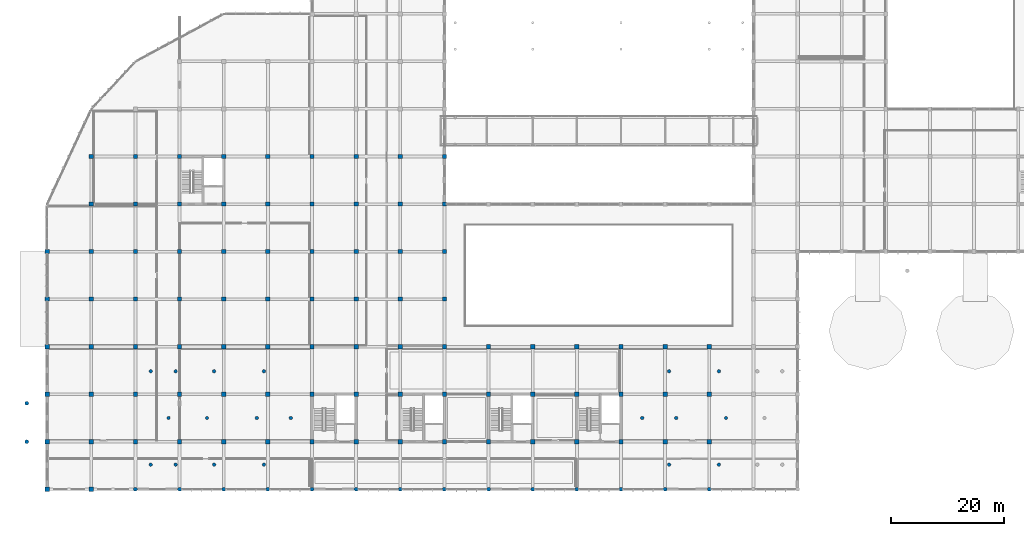
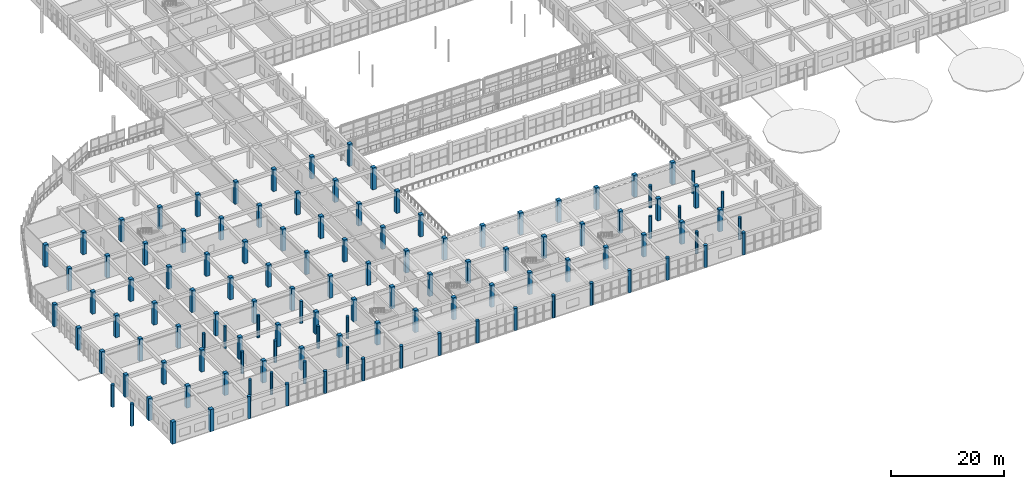
# One storey, part 1 of 175: 123 columns.
"""IFC4 building model written with IfcOpenShell, lengths in metres."""

from ifc_helpers import new_model, si_unit, direction, frame, origin, origin_2d, place, context, subcontext, project, spatial, rectangle, circle, extrude, material, material_profile, profile_set, type_object, element, save


model = new_model("IFC4")

# Units and contexts
model_context = context("Model", 3, precision=1e-05, world=origin(), true_north=direction((0.0, 1.0)))
body_context = subcontext(model_context, "Body", "Model", "MODEL_VIEW")
ifc_project = project(units=[si_unit("LENGTHUNIT", "METRE"), si_unit("AREAUNIT", "SQUARE_METRE"), si_unit("VOLUMEUNIT", "CUBIC_METRE"), si_unit("PLANEANGLEUNIT", "RADIAN"), si_unit("MASSUNIT", "GRAM", prefix="KILO")], contexts=[model_context])

# Site, building, storey
site_placement = place(None, origin())
site = spatial("IfcSite", under=ifc_project, at=site_placement, CompositionType="ELEMENT")
building_placement = place(site_placement, origin())
building = spatial("IfcBuilding", under=site, at=building_placement, Name="Zizhar Promenade General Hospital", CompositionType="ELEMENT")
storey_placement = place(building_placement, frame((0.0, 0.0, 4.800048828125)))
storey = spatial("IfcBuildingStorey", under=building, at=storey_placement, Name="L01", CompositionType="ELEMENT", Elevation=4.800048828125)

# Columns
ifc_material_1 = material(Name="Concrete C40/50", Category="concrete")
ifc_material_profile_1 = material_profile(ifc_material_1, circle(Radius=0.300048828125, at=origin_2d()))
ifc_profile_set_1 = profile_set([ifc_material_profile_1], Name="Concrete C40/50")
column_type_1 = type_object("IfcColumnType", Name="COL-CIRC-600", PredefinedType="PILASTER", material=ifc_profile_set_1)
for number, where, z_axis, x_axis, name in (
    (1, (18.300048828125, 4.35009765625, 0.0), (0.0, 0.0, 1.0), (1.0, 0.0, 0.0), "Ward Terrace Interior Support Column L06-W0 (L01)"),
    (2, (18.300048828125, 20.85009765625, 0.0), (0.0, 0.0, 1.0), (1.0, 0.0, 0.0), "Ward Terrace Interior Support Column L06-W1 (L01)"),
    (3, (21.449951171875, 12.60009765625, 0.0), (0.0, 0.0, 1.0), (1.0, 0.0, 0.0), "Ward Terrace Interior Support Column L06-W2 (L01)"),
    (4, (22.699951171875, 4.35009765625, 0.0), (0.0, 0.0, 1.0), (1.0, 0.0, 0.0), "Ward Terrace Interior Support Column L07-W0 (L01)"),
    (5, (22.699951171875, 20.85009765625, 0.0), (0.0, 0.0, 1.0), (1.0, 0.0, 0.0), "Ward Terrace Interior Support Column L07-W1 (L01)"),
    (6, (28.25, 12.60009765625, 0.0), (0.0, 0.0, 1.0), (1.0, 0.0, 0.0), "Ward Terrace Interior Support Column L07-W2 (L01)"),
    (7, (119.949951171875, 12.60009765625, 0.0), (0.0, 0.0, 1.0), (1.0, 0.0, 0.0), "Ward Terrace Interior Support Column L07-E2 (L01)"),
    (8, (29.5, 4.35009765625, 0.0), (0.0, 0.0, 1.0), (1.0, 0.0, 0.0), "Ward Terrace Interior Support Column L08-W0 (L01)"),
    (9, (29.5, 20.85009765625, 0.0), (0.0, 0.0, 1.0), (1.0, 0.0, 0.0), "Ward Terrace Interior Support Column L08-W1 (L01)"),
    (10, (37.050048828125, 12.60009765625, 0.0), (0.0, 0.0, 1.0), (1.0, 0.0, 0.0), "Ward Terrace Interior Support Column L08-W2 (L01)"),
    (11, (118.699951171875, 4.35009765625, 0.0), (0.0, 0.0, 1.0), (1.0, 0.0, 0.0), "Ward Terrace Interior Support Column L08-E0 (L01)"),
    (12, (118.699951171875, 20.85009765625, 0.0), (0.0, 0.0, 1.0), (1.0, 0.0, 0.0), "Ward Terrace Interior Support Column L08-E1 (L01)"),
    (13, (111.14990234375, 12.60009765625, 0.0), (0.0, 0.0, 1.0), (1.0, 0.0, 0.0), "Ward Terrace Interior Support Column L08-E2 (L01)"),
    (14, (38.300048828125, 4.35009765625, 0.0), (0.0, 0.0, 1.0), (1.0, 0.0, 0.0), "Ward Terrace Interior Support Column L09-W0 (L01)"),
    (15, (38.300048828125, 20.85009765625, 0.0), (0.0, 0.0, 1.0), (1.0, 0.0, 0.0), "Ward Terrace Interior Support Column L09-W1 (L01)"),
    (16, (43.050048828125, 12.60009765625, 0.0), (0.0, 0.0, 1.0), (1.0, 0.0, 0.0), "Ward Terrace Interior Support Column L09-W2 (L01)"),
    (17, (109.89990234375, 4.35009765625, 0.0), (0.0, 0.0, 1.0), (1.0, 0.0, 0.0), "Ward Terrace Interior Support Column L09-E0 (L01)"),
    (18, (109.89990234375, 20.85009765625, 0.0), (0.0, 0.0, 1.0), (1.0, 0.0, 0.0), "Ward Terrace Interior Support Column L09-E1 (L01)"),
    (19, (105.14990234375, 12.60009765625, 0.0), (0.0, 0.0, 1.0), (1.0, 0.0, 0.0), "Ward Terrace Interior Support Column L09-E2 (L01)"),
):
    element("IfcColumn", number, at=place(storey_placement, frame(where, z_axis=z_axis, x_axis=x_axis)), inside=storey, type_object=column_type_1, Name=name, PredefinedType="PILASTER", context=body_context, shape_type="SweptSolid", body=[
        extrude(circle(Radius=0.300048828125, at=origin_2d()), origin(), (0.0, 0.0, 1.0), 4.800048828125),
    ])
ifc_material_2 = material(Name="Concrete C40/50", Category="concrete")
ifc_material_profile_2 = material_profile(ifc_material_2, circle(Radius=0.35009765625, at=origin_2d()))
ifc_profile_set_2 = profile_set([ifc_material_profile_2], Name="Concrete C40/50")
column_type_2 = type_object("IfcColumnType", Name="COL-CIRC-700", PredefinedType="PILASTER", material=ifc_profile_set_2)
for number, where, z_axis, x_axis, name in (
    (20, (15.60009765625, 0.0, 0.0), (0.0, 0.0, 1.0), (1.0, 0.0, 0.0), "Column 3-A (L01)"),
    (21, (23.39990234375, 0.0, 0.0), (0.0, 0.0, 1.0), (1.0, 0.0, 0.0), "Column 4-A (L01)"),
    (22, (31.199951171875, 0.0, 0.0), (0.0, 0.0, 1.0), (1.0, 0.0, 0.0), "Column 5-A (L01)"),
    (23, (39.0, 0.0, 0.0), (0.0, 0.0, 1.0), (1.0, 0.0, 0.0), "Column 6-A (L01)"),
    (24, (46.800048828125, 0.0, 0.0), (0.0, 0.0, 1.0), (1.0, 0.0, 0.0), "Column 7-A (L01)"),
    (25, (54.60009765625, 0.0, 0.0), (0.0, 0.0, 1.0), (1.0, 0.0, 0.0), "Column 8-A (L01)"),
    (26, (62.39990234375, 0.0, 0.0), (0.0, 0.0, 1.0), (1.0, 0.0, 0.0), "Column 9-A (L01)"),
    (27, (70.199951171875, 0.0, 0.0), (0.0, 0.0, 1.0), (1.0, 0.0, 0.0), "Column 10-A (L01)"),
    (28, (78.0, 0.0, 0.0), (0.0, 0.0, 1.0), (1.0, 0.0, 0.0), "Column 11-A (L01)"),
    (29, (85.800048828125, 0.0, 0.0), (0.0, 0.0, 1.0), (1.0, 0.0, 0.0), "Column 12-A (L01)"),
    (30, (93.60009765625, 0.0, 0.0), (0.0, 0.0, 1.0), (1.0, 0.0, 0.0), "Column 13-A (L01)"),
    (31, (101.39990234375, 0.0, 0.0), (0.0, 0.0, 1.0), (1.0, 0.0, 0.0), "Column 14-A (L01)"),
    (32, (109.199951171875, 0.0, 0.0), (0.0, 0.0, 1.0), (1.0, 0.0, 0.0), "Column 15-A (L01)"),
    (33, (117.0, 0.0, 0.0), (0.0, 0.0, 1.0), (1.0, 0.0, 0.0), "Column 16-A (L01)"),
    (34, (-3.60009765625, 8.39990234375, 0.0), (0.0, 0.0, 1.0), (1.0, 0.0, 0.0), "Base Roof Colonnade Column 01 (L01)"),
    (35, (-3.60009765625, 15.199951171875, 0.0), (0.0, 0.0, 1.0), (1.0, 0.0, 0.0), "Base Roof Colonnade Column 02 (L01)"),
):
    element("IfcColumn", number, at=place(storey_placement, frame(where, z_axis=z_axis, x_axis=x_axis)), inside=storey, type_object=column_type_2, Name=name, PredefinedType="PILASTER", context=body_context, shape_type="SweptSolid", body=[
        extrude(circle(Radius=0.35009765625, at=origin_2d()), origin(), (0.0, 0.0, 1.0), 4.800048828125),
    ])
ifc_material_3 = material(Name="Concrete C40/50", Category="concrete")
ifc_material_profile_3 = material_profile(ifc_material_3, rectangle(XDim=0.75, YDim=0.75, at=origin_2d()))
ifc_profile_set_3 = profile_set([ifc_material_profile_3], Name="Concrete C40/50")
column_type_3 = type_object("IfcColumnType", Name="COL-RC-750", PredefinedType="COLUMN", material=ifc_profile_set_3)
for number, where, z_axis, x_axis, name in (
    (36, (0.0, 0.0, 0.0), (0.0, 0.0, 1.0), (1.0, 0.0, 0.0), "Column 1-A (L01)"),
    (37, (0.0, 8.39990234375, 0.0), (0.0, 0.0, 1.0), (1.0, 0.0, 0.0), "Column 1-B (L01)"),
    (38, (0.0, 16.800048828125, 0.0), (0.0, 0.0, 1.0), (1.0, 0.0, 0.0), "Column 1-C (L01)"),
    (39, (0.0, 25.199951171875, 0.0), (0.0, 0.0, 1.0), (1.0, 0.0, 0.0), "Column 1-D (L01)"),
    (40, (0.0, 33.60009765625, 0.0), (0.0, 0.0, 1.0), (1.0, 0.0, 0.0), "Column 1-E (L01)"),
    (41, (0.0, 42.0, 0.0), (0.0, 0.0, 1.0), (1.0, 0.0, 0.0), "Column 1-F (L01)"),
    (42, (7.800048828125, 0.0, 0.0), (0.0, 0.0, 1.0), (1.0, 0.0, 0.0), "Column 2-A (L01)"),
    (43, (7.800048828125, 8.39990234375, 0.0), (0.0, 0.0, 1.0), (1.0, 0.0, 0.0), "Column 2-B (L01)"),
    (44, (7.800048828125, 16.800048828125, 0.0), (0.0, 0.0, 1.0), (1.0, 0.0, 0.0), "Column 2-C (L01)"),
    (45, (7.800048828125, 25.199951171875, 0.0), (0.0, 0.0, 1.0), (1.0, 0.0, 0.0), "Column 2-D (L01)"),
    (46, (7.800048828125, 33.60009765625, 0.0), (0.0, 0.0, 1.0), (1.0, 0.0, 0.0), "Column 2-E (L01)"),
    (47, (7.800048828125, 42.0, 0.0), (0.0, 0.0, 1.0), (1.0, 0.0, 0.0), "Column 2-F (L01)"),
    (48, (7.800048828125, 50.39990234375, 0.0), (0.0, 0.0, 1.0), (1.0, 0.0, 0.0), "Column 2-G (L01)"),
    (49, (7.800048828125, 58.800048828125, 0.0), (0.0, 0.0, 1.0), (1.0, 0.0, 0.0), "Column 2-H (L01)"),
    (50, (15.60009765625, 8.39990234375, 0.0), (0.0, 0.0, 1.0), (1.0, 0.0, 0.0), "Column 3-B (L01)"),
    (51, (15.60009765625, 16.800048828125, 0.0), (0.0, 0.0, 1.0), (1.0, 0.0, 0.0), "Column 3-C (L01)"),
    (52, (15.60009765625, 25.199951171875, 0.0), (0.0, 0.0, 1.0), (1.0, 0.0, 0.0), "Column 3-D (L01)"),
    (53, (15.60009765625, 33.60009765625, 0.0), (0.0, 0.0, 1.0), (1.0, 0.0, 0.0), "Column 3-E (L01)"),
    (54, (15.60009765625, 42.0, 0.0), (0.0, 0.0, 1.0), (1.0, 0.0, 0.0), "Column 3-F (L01)"),
    (55, (15.60009765625, 50.39990234375, 0.0), (0.0, 0.0, 1.0), (1.0, 0.0, 0.0), "Column 3-G (L01)"),
    (56, (15.60009765625, 58.800048828125, 0.0), (0.0, 0.0, 1.0), (1.0, 0.0, 0.0), "Column 3-H (L01)"),
    (57, (23.39990234375, 8.39990234375, 0.0), (0.0, 0.0, 1.0), (1.0, 0.0, 0.0), "Column 4-B (L01)"),
    (58, (23.39990234375, 16.800048828125, 0.0), (0.0, 0.0, 1.0), (1.0, 0.0, 0.0), "Column 4-C (L01)"),
    (59, (23.39990234375, 25.199951171875, 0.0), (0.0, 0.0, 1.0), (1.0, 0.0, 0.0), "Column 4-D (L01)"),
    (60, (23.39990234375, 33.60009765625, 0.0), (0.0, 0.0, 1.0), (1.0, 0.0, 0.0), "Column 4-E (L01)"),
    (61, (23.39990234375, 42.0, 0.0), (0.0, 0.0, 1.0), (1.0, 0.0, 0.0), "Column 4-F (L01)"),
    (62, (23.39990234375, 50.39990234375, 0.0), (0.0, 0.0, 1.0), (1.0, 0.0, 0.0), "Column 4-G (L01)"),
    (63, (23.39990234375, 58.800048828125, 0.0), (0.0, 0.0, 1.0), (1.0, 0.0, 0.0), "Column 4-H (L01)"),
    (64, (31.199951171875, 8.39990234375, 0.0), (0.0, 0.0, 1.0), (1.0, 0.0, 0.0), "Column 5-B (L01)"),
    (65, (31.199951171875, 16.800048828125, 0.0), (0.0, 0.0, 1.0), (1.0, 0.0, 0.0), "Column 5-C (L01)"),
    (66, (31.199951171875, 25.199951171875, 0.0), (0.0, 0.0, 1.0), (1.0, 0.0, 0.0), "Column 5-D (L01)"),
    (67, (31.199951171875, 33.60009765625, 0.0), (0.0, 0.0, 1.0), (1.0, 0.0, 0.0), "Column 5-E (L01)"),
    (68, (31.199951171875, 42.0, 0.0), (0.0, 0.0, 1.0), (1.0, 0.0, 0.0), "Column 5-F (L01)"),
    (69, (31.199951171875, 50.39990234375, 0.0), (0.0, 0.0, 1.0), (1.0, 0.0, 0.0), "Column 5-G (L01)"),
    (70, (31.199951171875, 58.800048828125, 0.0), (0.0, 0.0, 1.0), (1.0, 0.0, 0.0), "Column 5-H (L01)"),
    (71, (39.0, 8.39990234375, 0.0), (0.0, 0.0, 1.0), (1.0, 0.0, 0.0), "Column 6-B (L01)"),
    (72, (39.0, 16.800048828125, 0.0), (0.0, 0.0, 1.0), (1.0, 0.0, 0.0), "Column 6-C (L01)"),
    (73, (39.0, 25.199951171875, 0.0), (0.0, 0.0, 1.0), (1.0, 0.0, 0.0), "Column 6-D (L01)"),
    (74, (39.0, 33.60009765625, 0.0), (0.0, 0.0, 1.0), (1.0, 0.0, 0.0), "Column 6-E (L01)"),
    (75, (39.0, 42.0, 0.0), (0.0, 0.0, 1.0), (1.0, 0.0, 0.0), "Column 6-F (L01)"),
    (76, (39.0, 50.39990234375, 0.0), (0.0, 0.0, 1.0), (1.0, 0.0, 0.0), "Column 6-G (L01)"),
    (77, (39.0, 58.800048828125, 0.0), (0.0, 0.0, 1.0), (1.0, 0.0, 0.0), "Column 6-H (L01)"),
    (78, (46.800048828125, 8.39990234375, 0.0), (0.0, 0.0, 1.0), (1.0, 0.0, 0.0), "Column 7-B (L01)"),
    (79, (46.800048828125, 16.800048828125, 0.0), (0.0, 0.0, 1.0), (1.0, 0.0, 0.0), "Column 7-C (L01)"),
    (80, (46.800048828125, 25.199951171875, 0.0), (0.0, 0.0, 1.0), (1.0, 0.0, 0.0), "Column 7-D (L01)"),
    (81, (46.800048828125, 33.60009765625, 0.0), (0.0, 0.0, 1.0), (1.0, 0.0, 0.0), "Column 7-E (L01)"),
    (82, (46.800048828125, 42.0, 0.0), (0.0, 0.0, 1.0), (1.0, 0.0, 0.0), "Column 7-F (L01)"),
    (83, (46.800048828125, 50.39990234375, 0.0), (0.0, 0.0, 1.0), (1.0, 0.0, 0.0), "Column 7-G (L01)"),
    (84, (46.800048828125, 58.800048828125, 0.0), (0.0, 0.0, 1.0), (1.0, 0.0, 0.0), "Column 7-H (L01)"),
    (85, (54.60009765625, 8.39990234375, 0.0), (0.0, 0.0, 1.0), (1.0, 0.0, 0.0), "Column 8-B (L01)"),
    (86, (54.60009765625, 16.800048828125, 0.0), (0.0, 0.0, 1.0), (1.0, 0.0, 0.0), "Column 8-C (L01)"),
    (87, (54.60009765625, 25.199951171875, 0.0), (0.0, 0.0, 1.0), (1.0, 0.0, 0.0), "Column 8-D (L01)"),
    (88, (54.60009765625, 33.60009765625, 0.0), (0.0, 0.0, 1.0), (1.0, 0.0, 0.0), "Column 8-E (L01)"),
    (89, (54.60009765625, 42.0, 0.0), (0.0, 0.0, 1.0), (1.0, 0.0, 0.0), "Column 8-F (L01)"),
    (90, (54.60009765625, 50.39990234375, 0.0), (0.0, 0.0, 1.0), (1.0, 0.0, 0.0), "Column 8-G (L01)"),
    (91, (54.60009765625, 58.800048828125, 0.0), (0.0, 0.0, 1.0), (1.0, 0.0, 0.0), "Column 8-H (L01)"),
    (92, (62.39990234375, 8.39990234375, 0.0), (0.0, 0.0, 1.0), (1.0, 0.0, 0.0), "Column 9-B (L01)"),
    (93, (62.39990234375, 16.800048828125, 0.0), (0.0, 0.0, 1.0), (1.0, 0.0, 0.0), "Column 9-C (L01)"),
    (94, (62.39990234375, 25.199951171875, 0.0), (0.0, 0.0, 1.0), (1.0, 0.0, 0.0), "Column 9-D (L01)"),
    (95, (62.39990234375, 33.60009765625, 0.0), (0.0, 0.0, 1.0), (1.0, 0.0, 0.0), "Column 9-E (L01)"),
    (96, (62.39990234375, 42.0, 0.0), (0.0, 0.0, 1.0), (1.0, 0.0, 0.0), "Column 9-F (L01)"),
    (97, (62.39990234375, 50.39990234375, 0.0), (0.0, 0.0, 1.0), (1.0, 0.0, 0.0), "Column 9-G (L01)"),
    (98, (62.39990234375, 58.800048828125, 0.0), (0.0, 0.0, 1.0), (1.0, 0.0, 0.0), "Column 9-H (L01)"),
    (99, (70.199951171875, 8.39990234375, 0.0), (0.0, 0.0, 1.0), (1.0, 0.0, 0.0), "Column 10-B (L01)"),
    (100, (70.199951171875, 16.800048828125, 0.0), (0.0, 0.0, 1.0), (1.0, 0.0, 0.0), "Column 10-C (L01)"),
    (101, (70.199951171875, 25.199951171875, 0.0), (0.0, 0.0, 1.0), (1.0, 0.0, 0.0), "Column 10-D (L01)"),
    (102, (70.199951171875, 33.60009765625, 0.0), (0.0, 0.0, 1.0), (1.0, 0.0, 0.0), "Column 10-E (L01)"),
    (103, (70.199951171875, 42.0, 0.0), (0.0, 0.0, 1.0), (1.0, 0.0, 0.0), "Column 10-F (L01)"),
    (104, (70.199951171875, 50.39990234375, 0.0), (0.0, 0.0, 1.0), (1.0, 0.0, 0.0), "Column 10-G (L01)"),
    (105, (70.199951171875, 58.800048828125, 0.0), (0.0, 0.0, 1.0), (1.0, 0.0, 0.0), "Column 10-H (L01)"),
    (106, (78.0, 8.39990234375, 0.0), (0.0, 0.0, 1.0), (1.0, 0.0, 0.0), "Column 11-B (L01)"),
    (107, (78.0, 16.800048828125, 0.0), (0.0, 0.0, 1.0), (1.0, 0.0, 0.0), "Column 11-C (L01)"),
    (108, (78.0, 25.199951171875, 0.0), (0.0, 0.0, 1.0), (1.0, 0.0, 0.0), "Column 11-D (L01)"),
    (109, (85.800048828125, 8.39990234375, 0.0), (0.0, 0.0, 1.0), (1.0, 0.0, 0.0), "Column 12-B (L01)"),
    (110, (85.800048828125, 16.800048828125, 0.0), (0.0, 0.0, 1.0), (1.0, 0.0, 0.0), "Column 12-C (L01)"),
    (111, (85.800048828125, 25.199951171875, 0.0), (0.0, 0.0, 1.0), (1.0, 0.0, 0.0), "Column 12-D (L01)"),
    (112, (93.60009765625, 8.39990234375, 0.0), (0.0, 0.0, 1.0), (1.0, 0.0, 0.0), "Column 13-B (L01)"),
    (113, (93.60009765625, 16.800048828125, 0.0), (0.0, 0.0, 1.0), (1.0, 0.0, 0.0), "Column 13-C (L01)"),
    (114, (93.60009765625, 25.199951171875, 0.0), (0.0, 0.0, 1.0), (1.0, 0.0, 0.0), "Column 13-D (L01)"),
    (115, (101.39990234375, 8.39990234375, 0.0), (0.0, 0.0, 1.0), (1.0, 0.0, 0.0), "Column 14-B (L01)"),
    (116, (101.39990234375, 16.800048828125, 0.0), (0.0, 0.0, 1.0), (1.0, 0.0, 0.0), "Column 14-C (L01)"),
    (117, (101.39990234375, 25.199951171875, 0.0), (0.0, 0.0, 1.0), (1.0, 0.0, 0.0), "Column 14-D (L01)"),
    (118, (109.199951171875, 8.39990234375, 0.0), (0.0, 0.0, 1.0), (1.0, 0.0, 0.0), "Column 15-B (L01)"),
    (119, (109.199951171875, 16.800048828125, 0.0), (0.0, 0.0, 1.0), (1.0, 0.0, 0.0), "Column 15-C (L01)"),
    (120, (109.199951171875, 25.199951171875, 0.0), (0.0, 0.0, 1.0), (1.0, 0.0, 0.0), "Column 15-D (L01)"),
    (121, (117.0, 8.39990234375, 0.0), (0.0, 0.0, 1.0), (1.0, 0.0, 0.0), "Column 16-B (L01)"),
    (122, (117.0, 16.800048828125, 0.0), (0.0, 0.0, 1.0), (1.0, 0.0, 0.0), "Column 16-C (L01)"),
    (123, (117.0, 25.199951171875, 0.0), (0.0, 0.0, 1.0), (1.0, 0.0, 0.0), "Column 16-D (L01)"),
):
    element("IfcColumn", number, at=place(storey_placement, frame(where, z_axis=z_axis, x_axis=x_axis)), inside=storey, type_object=column_type_3, Name=name, PredefinedType="COLUMN", context=body_context, shape_type="SweptSolid", body=[
        extrude(rectangle(XDim=0.75, YDim=0.75, at=origin_2d()), origin(), (0.0, 0.0, 1.0), 4.800048828125),
    ])

save(model, "model.ifc")
